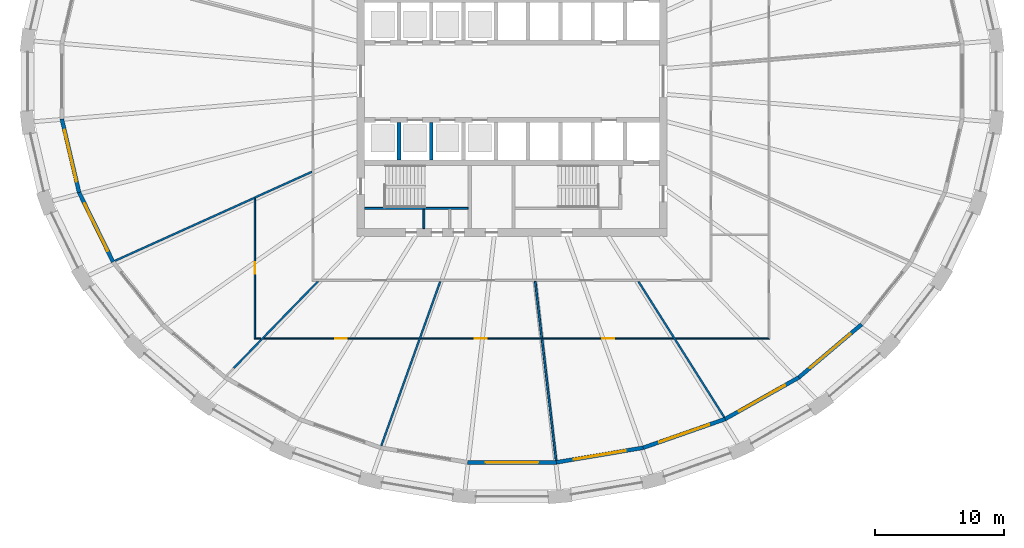
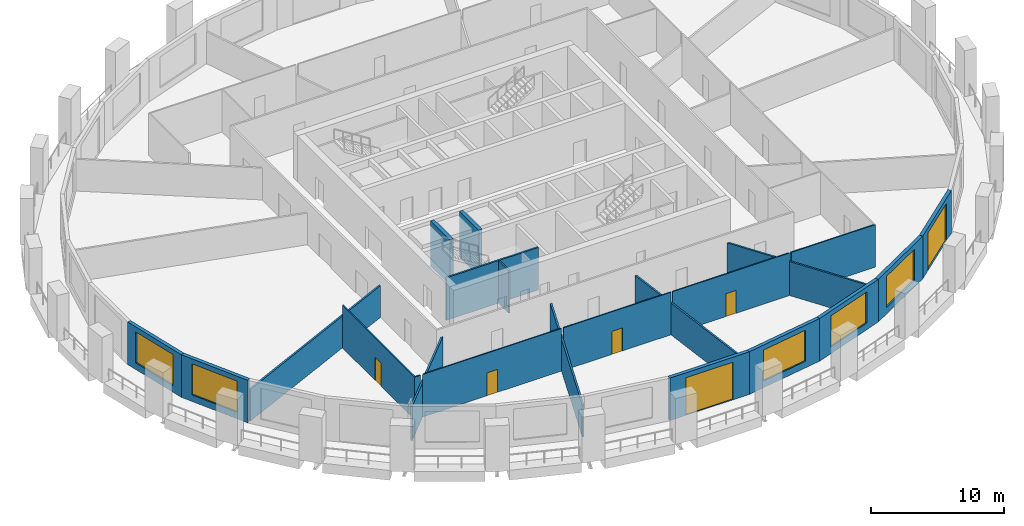
# One storey, part 3 of 11: 24 walls, 6 doors, 5 windows, 11 openings.
"""IFC4 building model written with IfcOpenShell, lengths in metres."""

from ifc_helpers import new_model, si_unit, direction, frame, frame_2d, origin, place, context, subcontext, project, spatial, polyline, rectangle, outline, extrude, material, layer, layer_set, type_object, element, fill, save


model = new_model("IFC4")

# Units and contexts
model_context = context("Model", 3, precision=1e-05, world=origin(), true_north=direction((0.0, 1.0)))
body_context = subcontext(model_context, "Body", "Model", "MODEL_VIEW")
ifc_project = project(units=[si_unit("LENGTHUNIT", "METRE"), si_unit("AREAUNIT", "SQUARE_METRE"), si_unit("VOLUMEUNIT", "CUBIC_METRE"), si_unit("PLANEANGLEUNIT", "RADIAN"), si_unit("MASSUNIT", "GRAM", prefix="KILO")], contexts=[model_context])

# Site, building, storey
site_placement = place(None, origin())
site = spatial("IfcSite", under=ifc_project, at=site_placement, CompositionType="ELEMENT")
building_placement = place(site_placement, origin())
building = spatial("IfcBuilding", under=site, at=building_placement, Name="Halqa Exchange Tower", CompositionType="ELEMENT")
storey_placement = place(building_placement, frame((0.0, 0.0, 36.10009765625)))
storey = spatial("IfcBuildingStorey", under=building, at=storey_placement, Name="L07", CompositionType="ELEMENT", Elevation=36.10009765625)

# Walls
ifc_material_1 = material(Name="Fire-rated gypsum board")
ifc_layer_1 = layer(ifc_material_1, 0.14990234375)
ifc_layer_set_1 = layer_set([ifc_layer_1], Name="Fire-rated gypsum board")
wall_type_1 = type_object("IfcWallType", Name="Fire partition EI 60 150", PredefinedType="PARTITIONING", material=ifc_layer_set_1)
wall_1_placement = place(storey_placement, frame((-30.744384765625, -13.8955078125, 0.0), z_axis=(0.0, 0.0, 1.0), x_axis=(0.91143189519, 0.411450969654, 0.0)))
element("IfcWall", 1, at=wall_1_placement, inside=storey, type_object=wall_type_1, Name="L07-PWL-001", PredefinedType="PARTITIONING", context=body_context, shape_type="SweptSolid", body=[
    extrude(outline(polyline([(0.0205078125, -0.074951171875), (1.9853515625, -0.074951171875), (3.9501953125, -0.074951171875), (5.9150390625, -0.074951171875), (7.8798828125, -0.074951171875), (9.8447265625, -0.074951171875), (11.8095703125, -0.074951171875), (11.810546875, -0.07275390625), (11.815185546875, -0.074951171875), (11.90234375, -0.074951171875), (11.90234375, -0.06591796875), (11.90234375, -0.06591796875), (11.90234375, 0.0615234375), (11.90234375, 0.074951171875), (9.918701171875, 0.074951171875), (7.934814453125, 0.074951171875), (5.951171875, 0.074951171875), (3.967529296875, 0.074951171875), (1.983642578125, 0.074951171875), (0.0, 0.074951171875), (0.0, 0.066162109375), (0.002197265625, -0.00146484375), (0.0205078125, -0.074951171875)])), origin(), (0.0, 0.0, 1.0), 2.909912109375),
])
wall_2_placement = place(storey_placement, frame((-19.89990234375, -8.989990234375, 0.0), z_axis=(0.0, 0.0, 1.0), x_axis=(0.911546381607, 0.411197269178, 0.0)))
element("IfcWall", 2, at=wall_2_placement, inside=storey, type_object=wall_type_1, Name="L07-PWL-005", PredefinedType="PARTITIONING", context=body_context, shape_type="SweptSolid", body=[
    extrude(outline(polyline([(0.020263671875, -0.074951171875), (1.620361328125, -0.074951171875), (3.220458984375, -0.074951171875), (4.820556640625, -0.074951171875), (4.88818359375, 0.074951171875), (3.2587890625, 0.074951171875), (1.62939453125, 0.074951171875), (0.0, 0.074951171875), (0.0, -0.06591796875), (0.020263671875, -0.074951171875)])), origin(), (0.0, 0.0, 1.0), 2.909912109375),
])
wall_3_placement = place(storey_placement, frame((-10.119384765625, -28.209228515625, 0.0), z_axis=(0.0, 0.0, 1.0), x_axis=(0.337949016046, 0.941164418448, 0.0)))
element("IfcWall", 3, at=wall_3_placement, inside=storey, type_object=wall_type_1, Name="L07-PWL-014", PredefinedType="PARTITIONING", context=body_context, shape_type="SweptSolid", body=[
    extrude(outline(polyline([(0.013916015625, -0.074951171875), (1.791748046875, -0.074951171875), (3.569580078125, -0.074951171875), (5.347412109375, -0.074951171875), (7.12548828125, -0.074951171875), (8.9033203125, -0.074951171875), (8.908203125, -0.0732421875), (8.90869140625, -0.074951171875), (10.4580078125, -0.074951171875), (12.007568359375, -0.074951171875), (13.556884765625, -0.074951171875), (13.556884765625, -0.073974609375), (13.554931640625, -0.068603515625), (13.554931640625, -0.068603515625), (13.50341796875, 0.074951171875), (11.919189453125, 0.074951171875), (10.335205078125, 0.074951171875), (8.751220703125, 0.074951171875), (8.7490234375, 0.07421875), (8.74853515625, 0.074951171875), (6.9990234375, 0.074951171875), (5.249267578125, 0.074951171875), (3.49951171875, 0.074951171875), (1.749755859375, 0.074951171875), (0.0, 0.074951171875), (0.0, 0.070556640625), (0.00048828125, -0.00048828125), (0.013916015625, -0.074951171875)])), origin(), (0.0, 0.0, 1.0), 2.909912109375),
])
wall_4_placement = place(storey_placement, frame((1.797607421875, -15.466552734375, 0.0), z_axis=(0.0, 0.0, 1.0), x_axis=(0.114783679138, -0.993390510828, 0.0)))
element("IfcWall", 4, at=wall_4_placement, inside=storey, type_object=wall_type_1, Name="L07-PWL-018", PredefinedType="PARTITIONING", context=body_context, shape_type="SweptSolid", body=[
    extrude(outline(polyline([(0.0, -0.074951171875), (1.468017578125, -0.074951171875), (2.93603515625, -0.074951171875), (4.404052734375, -0.074951171875), (4.404052734375, -0.07470703125), (4.406982421875, -0.074951171875), (4.413330078125, -0.074951171875), (4.413330078125, 0.074951171875), (2.947998046875, 0.074951171875), (1.482666015625, 0.074951171875), (0.01708984375, 0.074951171875), (0.0, -0.073486328125), (0.0, -0.074951171875)])), origin(), (0.0, 0.0, 1.0), 2.909912109375),
])
wall_5_placement = place(storey_placement, frame((2.314208984375, -19.850341796875, 0.0), z_axis=(0.0, 0.0, 1.0), x_axis=(0.115247328534, -0.9933368277, 0.0)))
element("IfcWall", 5, at=wall_5_placement, inside=storey, type_object=wall_type_1, Name="L07-PWL-020", PredefinedType="PARTITIONING", context=body_context, shape_type="SweptSolid", body=[
    extrude(outline(polyline([(0.0888671875, -0.074951171875), (1.979248046875, -0.074951171875), (3.86962890625, -0.074951171875), (5.760009765625, -0.074951171875), (7.650390625, -0.074951171875), (9.540771484375, -0.074951171875), (9.545654296875, -0.033935546875), (9.545654296875, 0.074951171875), (7.658447265625, 0.074951171875), (5.77099609375, 0.074951171875), (3.8837890625, 0.074951171875), (1.996337890625, 0.074951171875), (0.109130859375, 0.074951171875), (0.10888671875, 0.07373046875), (0.098388671875, 0.074951171875), (0.0, 0.074951171875), (0.0, -0.064697265625), (0.0888671875, -0.074951171875)])), origin(), (0.0, 0.0, 1.0), 2.909912109375),
])
wall_6_placement = place(storey_placement, frame((9.752197265625, -15.43505859375, 0.0), z_axis=(0.0, 0.0, 1.0), x_axis=(0.534413972524, -0.845222873549, 0.0)))
element("IfcWall", 6, at=wall_6_placement, inside=storey, type_object=wall_type_1, Name="L07-PWL-023", PredefinedType="PARTITIONING", context=body_context, shape_type="SweptSolid", body=[
    extrude(outline(polyline([(0.0, -0.074951171875), (1.725341796875, -0.074951171875), (3.45068359375, -0.074951171875), (5.176025390625, -0.074951171875), (5.17724609375, -0.07275390625), (5.1806640625, -0.074951171875), (7.00537109375, -0.074951171875), (8.830322265625, -0.074951171875), (10.655029296875, -0.074951171875), (12.479736328125, -0.074951171875), (12.497314453125, 0.001220703125), (12.50048828125, 0.064208984375), (12.50048828125, 0.074951171875), (10.72265625, 0.074951171875), (8.94482421875, 0.074951171875), (7.1669921875, 0.074951171875), (5.38916015625, 0.074951171875), (5.387451171875, 0.072265625), (5.38330078125, 0.074951171875), (3.620361328125, 0.074951171875), (1.857666015625, 0.074951171875), (0.0947265625, 0.074951171875), (0.0, -0.07470703125), (0.0, -0.074951171875)])), origin(), (0.0, 0.0, 1.0), 3.10986328125),
])
wall_7_placement = place(storey_placement, frame((-21.532470703125, -22.18896484375, 0.0), z_axis=(0.0, 0.0, 1.0), x_axis=(0.696649821167, 0.717411337148, 0.0)))
element("IfcWall", 7, at=wall_7_placement, inside=storey, type_object=wall_type_1, Name="L07-PWL-041", PredefinedType="PARTITIONING", context=body_context, shape_type="SweptSolid", body=[
    extrude(outline(polyline([(0.0, -0.074951171875), (1.6640625, -0.074951171875), (3.328369140625, -0.074951171875), (3.330810546875, -0.072509765625), (3.3330078125, -0.074951171875), (4.857421875, -0.074951171875), (6.382080078125, -0.074951171875), (7.906494140625, -0.074951171875), (9.430908203125, -0.074951171875), (9.430908203125, -0.074462890625), (9.338134765625, 0.02099609375), (9.338134765625, 0.02099609375), (9.285888671875, 0.074951171875), (7.727294921875, 0.074951171875), (6.1689453125, 0.074951171875), (4.610595703125, 0.074951171875), (3.052001953125, 0.074951171875), (3.050048828125, 0.072998046875), (3.048095703125, 0.074951171875), (1.524169921875, 0.074951171875), (0.0, 0.074951171875), (0.0, -0.074951171875)])), origin(), (0.0, 0.0, 1.0), 3.14697265625),
])

# Wall, opening, door
ifc_material_2 = material(Name="Gypsum board")
ifc_layer_2 = layer(ifc_material_2, 0.10009765625)
ifc_layer_set_2 = layer_set([ifc_layer_2], Name="Gypsum board")
wall_type_2 = type_object("IfcWallType", Name="Partition 100 gypsum", PredefinedType="PARTITIONING", material=ifc_layer_set_2)
wall_8_placement = place(storey_placement, frame((-19.89990234375, -19.949951171875, 0.0), z_axis=(0.0, 0.0, 1.0), x_axis=(0.0, 1.0, 0.0)))
wall_8 = element("IfcWall", 8, at=wall_8_placement, inside=storey, type_object=wall_type_2, Name="L07-PWL-004", PredefinedType="PARTITIONING", context=body_context, shape_type="SweptSolid", body=[
    extrude(outline(polyline([(10.89990234375, -0.050048828125), (10.89990234375, -0.04931640625), (10.8916015625, -0.03076171875), (10.88330078125, -0.034423828125), (10.84521484375, 0.050048828125), (9.03759765625, 0.050048828125), (7.22998046875, 0.050048828125), (5.422607421875, 0.050048828125), (3.614990234375, 0.050048828125), (1.8076171875, 0.050048828125), (0.0, 0.050048828125), (0.099853515625, -0.0498046875), (0.10009765625, -0.050048828125), (1.900146484375, -0.050048828125), (3.699951171875, -0.050048828125), (5.5, -0.050048828125), (7.300048828125, -0.050048828125), (9.099853515625, -0.050048828125), (10.89990234375, -0.050048828125)])), origin(), (0.0, 0.0, 1.0), 3.89990234375),
])
opening_1_placement = place(wall_8_placement, frame((5.050048828125, 0.0, 0.0)))
opening_1 = element("IfcOpeningElement", 9, at=opening_1_placement, cuts=wall_8, Name="Opening 02-18", PredefinedType="OPENING", context=body_context, shape_type="SweptSolid", body=[
    extrude(rectangle(XDim=0.89990234375, YDim=2.10009765625, at=frame_2d((0.449951171875, 1.050048828125))), frame((0.0, 0.06201171875, 0.0), z_axis=(0.0, -1.0, 0.0), x_axis=(1.0, 0.0, 0.0)), (0.0, 0.0, 1.0), 0.1240234375),
])
ifc_material_3 = material(Name="Timber door leaf", Category="wood")
door_type_1 = type_object("IfcDoorType", Name="Door 900 x 2100", OperationType="SINGLE_SWING_LEFT", PredefinedType="DOOR", material=ifc_material_3)
door_1_placement = place(opening_1_placement, frame((0.89990234375, 0.0, 0.0), z_axis=(0.0, 0.0, 1.0), x_axis=(-1.0, 0.0, 0.0)))
door_1 = element("IfcDoor", 10, at=door_1_placement, inside=storey, type_object=door_type_1, Name="L07-IDR-018", OperationType="SINGLE_SWING_LEFT", OverallHeight=2.10009765625, OverallWidth=0.89990234375, PredefinedType="DOOR", context=body_context, shape_type="SweptSolid", body=[
    extrude(rectangle(XDim=0.89990234375, YDim=2.10009765625, at=frame_2d((0.449951171875, 1.050048828125))), frame((0.0, 0.02490234375, 0.0), z_axis=(0.0, -1.0, 0.0), x_axis=(1.0, 0.0, 0.0)), (0.0, 0.0, 1.0), 0.050048828125),
])
fill(opening_1, door_1)

# Wall
wall_9_placement = place(storey_placement, frame((-19.4599609375, -19.89990234375, 0.0), z_axis=(0.0, 0.0, 1.0), x_axis=(-1.0, 0.0, 0.0)))
element("IfcWall", 11, at=wall_9_placement, inside=storey, type_object=wall_type_2, Name="L07-PWL-008", PredefinedType="PARTITIONING", context=body_context, shape_type="SweptSolid", body=[
    extrude(outline(polyline([(0.0, -0.050048828125), (0.389892578125, -0.050048828125), (0.489990234375, 0.050048828125), (0.0, 0.050048828125), (0.0, -0.050048828125)])), origin(), (0.0, 0.0, 1.0), 3.89990234375),
])

# Wall, opening, door
wall_10_placement = place(storey_placement, frame((-7.197998046875, -19.89990234375, 0.0), z_axis=(0.0, 0.0, 1.0), x_axis=(-1.0, 0.0, 0.0)))
wall_10 = element("IfcWall", 12, at=wall_10_placement, inside=storey, type_object=wall_type_2, Name="L07-PWL-016", PredefinedType="PARTITIONING", context=body_context, shape_type="SweptSolid", body=[
    extrude(outline(polyline([(0.0, -0.050048828125), (1.9931640625, -0.050048828125), (3.986083984375, -0.050048828125), (5.979248046875, -0.050048828125), (7.972412109375, -0.050048828125), (9.96533203125, -0.050048828125), (11.95849609375, -0.050048828125), (12.055419921875, 0.0498046875), (12.055419921875, 0.050048828125), (10.33837890625, 0.050048828125), (8.62109375, 0.050048828125), (6.904052734375, 0.050048828125), (5.186767578125, 0.050048828125), (3.4697265625, 0.050048828125), (1.752685546875, 0.050048828125), (0.035400390625, 0.050048828125), (0.0, -0.048583984375), (0.0, -0.050048828125)])), origin(), (0.0, 0.0, 1.0), 3.89990234375),
])
opening_2_placement = place(wall_10_placement, frame((5.576904296875, 0.0, 0.0)))
opening_2 = element("IfcOpeningElement", 13, at=opening_2_placement, cuts=wall_10, Name="Opening 02-19", PredefinedType="OPENING", context=body_context, shape_type="SweptSolid", body=[
    extrude(rectangle(XDim=0.89990234375, YDim=2.10009765625, at=frame_2d((0.449951171875, 1.050048828125))), frame((0.0, 0.06201171875, 0.0), z_axis=(0.0, -1.0, 0.0), x_axis=(1.0, 0.0, 0.0)), (0.0, 0.0, 1.0), 0.1240234375),
])
door_2_placement = place(opening_2_placement, frame((0.89990234375, 0.0, 0.0), z_axis=(0.0, 0.0, 1.0), x_axis=(-1.0, 0.0, 0.0)))
door_2 = element("IfcDoor", 14, at=door_2_placement, inside=storey, type_object=door_type_1, Name="L07-IDR-019", OperationType="SINGLE_SWING_LEFT", OverallHeight=2.10009765625, OverallWidth=0.89990234375, PredefinedType="DOOR", context=body_context, shape_type="SweptSolid", body=[
    extrude(rectangle(XDim=0.89990234375, YDim=2.10009765625, at=frame_2d((0.449951171875, 1.050048828125))), frame((0.0, 0.02490234375, 0.0), z_axis=(0.0, -1.0, 0.0), x_axis=(1.0, 0.0, 0.0)), (0.0, 0.0, 1.0), 0.050048828125),
])
fill(opening_2, door_2)

wall_11_placement = place(storey_placement, frame((2.25, -19.89990234375, 0.0), z_axis=(0.0, 0.0, 1.0), x_axis=(-1.0, 0.0, 0.0)))
wall_11 = element("IfcWall", 15, at=wall_11_placement, inside=storey, type_object=wall_type_2, Name="L07-PWL-019", PredefinedType="PARTITIONING", context=body_context, shape_type="SweptSolid", body=[
    extrude(outline(polyline([(0.021240234375, -0.050048828125), (1.874755859375, -0.050048828125), (3.72802734375, -0.050048828125), (5.581298828125, -0.050048828125), (7.434814453125, -0.050048828125), (9.2880859375, -0.050048828125), (9.323974609375, 0.050048828125), (9.323974609375, 0.050048828125), (7.459228515625, 0.050048828125), (5.594482421875, 0.050048828125), (3.7294921875, 0.050048828125), (1.86474609375, 0.050048828125), (0.0, 0.050048828125), (0.0, 0.04736328125), (0.01025390625, -0.041015625), (0.0, -0.0419921875), (0.0, -0.042724609375), (0.020263671875, -0.04052734375), (0.021240234375, -0.050048828125)])), origin(), (0.0, 0.0, 1.0), 3.89990234375),
])
opening_3_placement = place(wall_11_placement, frame((4.215087890625, 0.0, 0.0)))
opening_3 = element("IfcOpeningElement", 16, at=opening_3_placement, cuts=wall_11, Name="Opening 02-20", PredefinedType="OPENING", context=body_context, shape_type="SweptSolid", body=[
    extrude(rectangle(XDim=0.89990234375, YDim=2.10009765625, at=frame_2d((0.449951171875, 1.050048828125))), frame((0.0, 0.06201171875, 0.0), z_axis=(0.0, -1.0, 0.0), x_axis=(1.0, 0.0, 0.0)), (0.0, 0.0, 1.0), 0.1240234375),
])
door_3_placement = place(opening_3_placement, frame((0.89990234375, 0.0, 0.0), z_axis=(0.0, 0.0, 1.0), x_axis=(-1.0, 0.0, 0.0)))
door_3 = element("IfcDoor", 17, at=door_3_placement, inside=storey, type_object=door_type_1, Name="L07-IDR-020", OperationType="SINGLE_SWING_RIGHT", OverallHeight=2.10009765625, OverallWidth=0.89990234375, PredefinedType="DOOR", context=body_context, shape_type="SweptSolid", body=[
    extrude(rectangle(XDim=0.89990234375, YDim=2.10009765625, at=frame_2d((0.449951171875, 1.050048828125))), frame((0.0, 0.02490234375, 0.0), z_axis=(0.0, -1.0, 0.0), x_axis=(1.0, 0.0, 0.0)), (0.0, 0.0, 1.0), 0.050048828125),
])
fill(opening_3, door_3)

wall_12_placement = place(storey_placement, frame((12.51806640625, -19.89990234375, 0.0), z_axis=(0.0, 0.0, 1.0), x_axis=(-1.0, 0.0, 0.0)))
wall_12 = element("IfcWall", 18, at=wall_12_placement, inside=storey, type_object=wall_type_2, Name="L07-PWL-024", PredefinedType="PARTITIONING", context=body_context, shape_type="SweptSolid", body=[
    extrude(outline(polyline([(10.128173828125, -0.050048828125), (10.128173828125, -0.0478515625), (10.11669921875, 0.050048828125), (8.4306640625, 0.050048828125), (6.74462890625, 0.050048828125), (5.058349609375, 0.050048828125), (3.372314453125, 0.050048828125), (1.68603515625, 0.050048828125), (0.0, 0.050048828125), (0.0, 0.050048828125), (0.063232421875, -0.050048828125), (1.74072265625, -0.050048828125), (3.418212890625, -0.050048828125), (5.095703125, -0.050048828125), (6.773193359375, -0.050048828125), (8.45068359375, -0.050048828125), (10.128173828125, -0.050048828125)])), origin(), (0.0, 0.0, 1.0), 3.89990234375),
])
opening_4_placement = place(wall_12_placement, frame((4.617919921875, 0.0, 0.0)))
opening_4 = element("IfcOpeningElement", 19, at=opening_4_placement, cuts=wall_12, Name="Opening 02-21", PredefinedType="OPENING", context=body_context, shape_type="SweptSolid", body=[
    extrude(rectangle(XDim=0.89990234375, YDim=2.10009765625, at=frame_2d((0.449951171875, 1.050048828125))), frame((0.0, 0.06201171875, 0.0), z_axis=(0.0, -1.0, 0.0), x_axis=(1.0, 0.0, 0.0)), (0.0, 0.0, 1.0), 0.1240234375),
])
door_4_placement = place(opening_4_placement, frame((0.89990234375, 0.0, 0.0), z_axis=(0.0, 0.0, 1.0), x_axis=(-1.0, 0.0, 0.0)))
door_4 = element("IfcDoor", 20, at=door_4_placement, inside=storey, type_object=door_type_1, Name="L07-IDR-021", OperationType="SINGLE_SWING_RIGHT", OverallHeight=2.10009765625, OverallWidth=0.89990234375, PredefinedType="DOOR", context=body_context, shape_type="SweptSolid", body=[
    extrude(rectangle(XDim=0.89990234375, YDim=2.10009765625, at=frame_2d((0.449951171875, 1.050048828125))), frame((0.0, 0.02490234375, 0.0), z_axis=(0.0, -1.0, 0.0), x_axis=(1.0, 0.0, 0.0)), (0.0, 0.0, 1.0), 0.050048828125),
])
fill(opening_4, door_4)

# Walls
wall_13_placement = place(storey_placement, frame((19.949951171875, -19.89990234375, 0.0), z_axis=(0.0, 0.0, 1.0), x_axis=(-1.0, 0.0, 0.0)))
element("IfcWall", 21, at=wall_13_placement, inside=storey, type_object=wall_type_2, Name="L07-PWL-031", PredefinedType="PARTITIONING", context=body_context, shape_type="SweptSolid", body=[
    extrude(outline(polyline([(7.3173828125, -0.050048828125), (7.3173828125, -0.049560546875), (7.25439453125, 0.050048828125), (5.440673828125, 0.050048828125), (3.627197265625, 0.050048828125), (1.8134765625, 0.050048828125), (0.0, 0.050048828125), (0.099853515625, -0.0498046875), (0.10009765625, -0.050048828125), (1.904296875, -0.050048828125), (3.708740234375, -0.050048828125), (5.51318359375, -0.050048828125), (7.3173828125, -0.050048828125)])), origin(), (0.0, 0.0, 1.0), 3.89990234375),
])
ifc_layer_3 = layer(ifc_material_2, 0.14990234375)
ifc_layer_set_3 = layer_set([ifc_layer_3], Name="Gypsum board")
wall_type_3 = type_object("IfcWallType", Name="Penthouse riser wall 150 gypsum", PredefinedType="PARTITIONING", material=ifc_layer_set_3)
wall_14_placement = place(storey_placement, frame((-6.824951171875, -11.39990234375, 0.0), z_axis=(0.0, 0.0, 1.0), x_axis=(0.0, 1.0, 0.0)))
element("IfcWall", 22, at=wall_14_placement, inside=storey, type_object=wall_type_3, Name="Partition W6.825 S", PredefinedType="PARTITIONING", context=body_context, shape_type="SweptSolid", body=[
    extrude(rectangle(XDim=1.5, YDim=0.14990234375, at=frame_2d((0.75, 0.0))), origin(), (0.0, 0.0, 1.0), 3.89990234375),
])
ifc_material_4 = material(Name="Concrete C60/75", Category="concrete")
ifc_layer_4 = layer(ifc_material_4, 0.300048828125)
ifc_layer_set_4 = layer_set([ifc_layer_4], Name="Concrete C60/75")
wall_type_4 = type_object("IfcWallType", Name="RC core wall 300", PredefinedType="SHEAR", material=ifc_layer_set_4)
for number, where, z_axis, x_axis, name in (
    (23, (-8.75, -6.10009765625, 0.0), (0.0, 0.0, 1.0), (0.0, 1.0, 0.0), "Shaft divider S1"),
    (24, (-6.25, -6.10009765625, 0.0), (0.0, 0.0, 1.0), (0.0, 1.0, 0.0), "Shaft divider S2"),
):
    element("IfcWall", number, at=place(storey_placement, frame(where, z_axis=z_axis, x_axis=x_axis)), inside=storey, type_object=wall_type_4, Name=name, PredefinedType="SHEAR", context=body_context, shape_type="SweptSolid", body=[
        extrude(rectangle(XDim=2.900146484375, YDim=0.300048828125, at=frame_2d((1.4501953125, 0.0))), origin(), (0.0, 0.0, 1.0), 4.199951171875),
    ])
ifc_material_5 = material(Name="Concrete C30/37", Category="concrete")
ifc_layer_5 = layer(ifc_material_5, 0.14990234375)
ifc_layer_set_5 = layer_set([ifc_layer_5], Name="Concrete C30/37")
wall_type_5 = type_object("IfcWallType", Name="RC stair wall 150 C30/37", PredefinedType="SHEAR", material=ifc_layer_set_5)
wall_15_placement = place(storey_placement, frame((-11.39990234375, -9.824951171875, 0.0), z_axis=(0.0, 0.0, 1.0), x_axis=(1.0, 0.0, 0.0)))
element("IfcWall", 25, at=wall_15_placement, inside=storey, type_object=wall_type_5, Name="Stair ST1 north wall S", PredefinedType="SHEAR", context=body_context, shape_type="SweptSolid", body=[
    extrude(rectangle(XDim=8.0, YDim=0.14990234375, at=frame_2d((4.0, 0.0))), origin(), (0.0, 0.0, 1.0), 3.89990234375),
])

# Wall, opening, window
ifc_material_6 = material(Name="Limestone cladding", Category="masonry")
ifc_layer_6 = layer(ifc_material_6, 0.0400390625)
ifc_material_7 = material(Name="Ventilated cavity")
ifc_layer_7 = layer(ifc_material_7, 0.030029296875, ventilated=True)
ifc_material_8 = material(Name="Mineral wool insulation")
ifc_layer_8 = layer(ifc_material_8, 0.10009765625)
ifc_layer_9 = layer(ifc_material_5, 0.10009765625)
ifc_material_9 = material(Name="Internal plaster")
ifc_layer_10 = layer(ifc_material_9, 0.030029296875)
ifc_layer_set_6 = layer_set([ifc_layer_6, ifc_layer_7, ifc_layer_8, ifc_layer_9, ifc_layer_10], Name="Stone-faced insulated wall 300")
wall_type_6 = type_object("IfcWallType", Name="Stone-faced insulated wall 300", PredefinedType="STANDARD", material=ifc_layer_set_6)
wall_16_placement = place(storey_placement, frame((-34.840087890625, -2.90673828125, 0.0), z_axis=(0.0, 0.0, 1.0), x_axis=(0.228976600496, -0.97343192696, 0.0)))
wall_16 = element("IfcWall", 26, at=wall_16_placement, inside=storey, type_object=wall_type_6, Name="Glass-line wall 17", PredefinedType="STANDARD", context=body_context, shape_type="SweptSolid", body=[
    extrude(outline(polyline([(-0.017333984375, -0.14990234375), (5.87353515625, -0.14990234375), (5.83984375, 0.14990234375), (0.017333984375, 0.14990234375), (-0.017333984375, -0.14990234375)])), origin(), (0.0, 0.0, 1.0), 3.89990234375),
])
opening_5_placement = place(wall_16_placement, frame((0.87841796875, 0.0, 0.60009765625)))
opening_5 = element("IfcOpeningElement", 27, at=opening_5_placement, cuts=wall_16, Name="Opening W-F1-17", PredefinedType="OPENING", context=body_context, shape_type="SweptSolid", body=[
    extrude(rectangle(XDim=4.10009765625, YDim=2.85009765625, at=frame_2d((2.050048828125, 1.425048828125))), frame((0.0, 0.162109375, 0.0), z_axis=(0.0, -1.0, 0.0), x_axis=(1.0, 0.0, 0.0)), (0.0, 0.0, 1.0), 0.323974609375),
])
ifc_material_10 = material(Name="Clear low-emissivity glass in aluminium frame", Category="aluminium")
window_type = type_object("IfcWindowType", Name="Fixed clear glazed window 4100 x 2850", PartitioningType="TRIPLE_PANEL_VERTICAL", PredefinedType="WINDOW", material=ifc_material_10)
window_1_placement = place(opening_5_placement, origin())
window_1 = element("IfcWindow", 28, at=window_1_placement, inside=storey, type_object=window_type, Name="Window 1", OverallHeight=2.85009765625, OverallWidth=4.10009765625, PartitioningType="TRIPLE_PANEL_VERTICAL", PredefinedType="WINDOW", context=body_context, shape_type="SweptSolid", body=[
    extrude(rectangle(XDim=4.10009765625, YDim=2.85009765625, at=frame_2d((2.050048828125, 1.425048828125))), frame((0.0, 0.030029296875, 0.0), z_axis=(0.0, -1.0, 0.0), x_axis=(1.0, 0.0, 0.0)), (0.0, 0.0, 1.0), 0.06005859375),
])
fill(opening_5, window_1)

wall_17_placement = place(storey_placement, frame((-33.4990234375, -8.60791015625, 0.0), z_axis=(0.0, 0.0, 1.0), x_axis=(0.439896354052, -0.898048549741, 0.0)))
wall_17 = element("IfcWall", 29, at=wall_17_placement, inside=storey, type_object=wall_type_6, Name="Glass-line wall 18", PredefinedType="STANDARD", context=body_context, shape_type="SweptSolid", body=[
    extrude(outline(polyline([(-0.016845703125, -0.14990234375), (5.993896484375, -0.14990234375), (5.961669921875, 0.14990234375), (0.016845703125, 0.14990234375), (-0.016845703125, -0.14990234375)])), origin(), (0.0, 0.0, 1.0), 3.89990234375),
])
opening_6_placement = place(wall_17_placement, frame((0.93896484375, 0.0, 0.60009765625)))
opening_6 = element("IfcOpeningElement", 30, at=opening_6_placement, cuts=wall_17, Name="Opening W-F1-18", PredefinedType="OPENING", context=body_context, shape_type="SweptSolid", body=[
    extrude(rectangle(XDim=4.10009765625, YDim=2.85009765625, at=frame_2d((2.050048828125, 1.425048828125))), frame((0.0, 0.162109375, 0.0), z_axis=(0.0, -1.0, 0.0), x_axis=(1.0, 0.0, 0.0)), (0.0, 0.0, 1.0), 0.323974609375),
])
window_2_placement = place(opening_6_placement, origin())
window_2 = element("IfcWindow", 31, at=window_2_placement, inside=storey, type_object=window_type, Name="Window 1", OverallHeight=2.85009765625, OverallWidth=4.10009765625, PartitioningType="TRIPLE_PANEL_VERTICAL", PredefinedType="WINDOW", context=body_context, shape_type="SweptSolid", body=[
    extrude(rectangle(XDim=4.10009765625, YDim=2.85009765625, at=frame_2d((2.050048828125, 1.425048828125))), frame((0.0, 0.030029296875, 0.0), z_axis=(0.0, -1.0, 0.0), x_axis=(1.0, 0.0, 0.0)), (0.0, 0.0, 1.0), 0.06005859375),
])
fill(opening_6, window_2)

# Wall, opening, door
wall_18_placement = place(storey_placement, frame((-3.42919921875, -29.486328125, 0.0), z_axis=(0.0, 0.0, 1.0), x_axis=(1.0, 0.0, 0.0)))
wall_18 = element("IfcWall", 32, at=wall_18_placement, inside=storey, type_object=wall_type_6, Name="Glass-line wall 24", PredefinedType="STANDARD", context=body_context, shape_type="SweptSolid", body=[
    extrude(outline(polyline([(-0.012451171875, -0.14990234375), (6.870849609375, -0.14990234375), (6.845947265625, 0.14990234375), (0.012451171875, 0.14990234375), (-0.012451171875, -0.14990234375)])), origin(), (0.0, 0.0, 1.0), 3.89990234375),
])
opening_7_placement = place(wall_18_placement, frame((1.379150390625, 0.0, 0.0)))
opening_7 = element("IfcOpeningElement", 33, at=opening_7_placement, cuts=wall_18, Name="Opening LG-F1-06", PredefinedType="OPENING", context=body_context, shape_type="SweptSolid", body=[
    extrude(rectangle(XDim=4.10009765625, YDim=3.449951171875, at=frame_2d((2.050048828125, 1.72509765625))), frame((0.0, 0.162109375, 0.0), z_axis=(0.0, -1.0, 0.0), x_axis=(1.0, 0.0, 0.0)), (0.0, 0.0, 1.0), 0.323974609375),
])
door_type_2 = type_object("IfcDoorType", Name="Glazed sliding loggia door 4100 x 3450", OperationType="DOUBLE_DOOR_SLIDING", PredefinedType="DOOR", material=ifc_material_10)
door_5_placement = place(opening_7_placement, origin())
door_5 = element("IfcDoor", 34, at=door_5_placement, inside=storey, type_object=door_type_2, Name="Loggia door 6", OperationType="DOUBLE_DOOR_SLIDING", OverallHeight=3.449951171875, OverallWidth=4.10009765625, PredefinedType="DOOR", context=body_context, shape_type="SweptSolid", body=[
    extrude(rectangle(XDim=4.10009765625, YDim=3.449951171875, at=frame_2d((2.050048828125, 1.72509765625))), frame((0.0, 0.02490234375, 0.0), z_axis=(0.0, -1.0, 0.0), x_axis=(1.0, 0.0, 0.0)), (0.0, 0.0, 1.0), 0.050048828125),
])
fill(opening_7, door_5)

# Wall, opening, window
wall_19_placement = place(storey_placement, frame((3.42919921875, -29.486328125, 0.0), z_axis=(0.0, 0.0, 1.0), x_axis=(0.986145179906, 0.165884550659, 0.0)))
wall_19 = element("IfcWall", 35, at=wall_19_placement, inside=storey, type_object=wall_type_6, Name="Glass-line wall 25", PredefinedType="STANDARD", context=body_context, shape_type="SweptSolid", body=[
    extrude(outline(polyline([(-0.012451171875, -0.14990234375), (6.834228515625, -0.14990234375), (6.808837890625, 0.14990234375), (0.012451171875, 0.14990234375), (-0.012451171875, -0.14990234375)])), origin(), (0.0, 0.0, 1.0), 3.89990234375),
])
opening_8_placement = place(wall_19_placement, frame((1.36083984375, 0.0, 0.60009765625)))
opening_8 = element("IfcOpeningElement", 36, at=opening_8_placement, cuts=wall_19, Name="Opening W-F1-25", PredefinedType="OPENING", context=body_context, shape_type="SweptSolid", body=[
    extrude(rectangle(XDim=4.10009765625, YDim=2.85009765625, at=frame_2d((2.050048828125, 1.425048828125))), frame((0.0, 0.162109375, 0.0), z_axis=(0.0, -1.0, 0.0), x_axis=(1.0, 0.0, 0.0)), (0.0, 0.0, 1.0), 0.323974609375),
])
window_3_placement = place(opening_8_placement, origin())
window_3 = element("IfcWindow", 37, at=window_3_placement, inside=storey, type_object=window_type, Name="Window 1", OverallHeight=2.85009765625, OverallWidth=4.10009765625, PartitioningType="TRIPLE_PANEL_VERTICAL", PredefinedType="WINDOW", context=body_context, shape_type="SweptSolid", body=[
    extrude(rectangle(XDim=4.10009765625, YDim=2.85009765625, at=frame_2d((2.050048828125, 1.425048828125))), frame((0.0, 0.030029296875, 0.0), z_axis=(0.0, -1.0, 0.0), x_axis=(1.0, 0.0, 0.0)), (0.0, 0.0, 1.0), 0.06005859375),
])
fill(opening_8, window_3)

wall_20_placement = place(storey_placement, frame((10.15625, -28.354736328125, 0.0), z_axis=(0.0, 0.0, 1.0), x_axis=(0.943778979427, 0.330577128657, 0.0)))
wall_20 = element("IfcWall", 38, at=wall_20_placement, inside=storey, type_object=wall_type_6, Name="Glass-line wall 26", PredefinedType="STANDARD", context=body_context, shape_type="SweptSolid", body=[
    extrude(outline(polyline([(-0.0126953125, -0.14990234375), (6.728759765625, -0.14990234375), (6.701904296875, 0.14990234375), (0.0126953125, 0.14990234375), (-0.0126953125, -0.14990234375)])), origin(), (0.0, 0.0, 1.0), 3.89990234375),
])
opening_9_placement = place(wall_20_placement, frame((1.3076171875, 0.0, 0.60009765625)))
opening_9 = element("IfcOpeningElement", 39, at=opening_9_placement, cuts=wall_20, Name="Opening W-F1-26", PredefinedType="OPENING", context=body_context, shape_type="SweptSolid", body=[
    extrude(rectangle(XDim=4.10009765625, YDim=2.85009765625, at=frame_2d((2.050048828125, 1.425048828125))), frame((0.0, 0.162109375, 0.0), z_axis=(0.0, -1.0, 0.0), x_axis=(1.0, 0.0, 0.0)), (0.0, 0.0, 1.0), 0.323974609375),
])
window_4_placement = place(opening_9_placement, origin())
window_4 = element("IfcWindow", 40, at=window_4_placement, inside=storey, type_object=window_type, Name="Window 1", OverallHeight=2.85009765625, OverallWidth=4.10009765625, PartitioningType="TRIPLE_PANEL_VERTICAL", PredefinedType="WINDOW", context=body_context, shape_type="SweptSolid", body=[
    extrude(rectangle(XDim=4.10009765625, YDim=2.85009765625, at=frame_2d((2.050048828125, 1.425048828125))), frame((0.0, 0.030029296875, 0.0), z_axis=(0.0, -1.0, 0.0), x_axis=(1.0, 0.0, 0.0)), (0.0, 0.0, 1.0), 0.06005859375),
])
fill(opening_9, window_4)

wall_21_placement = place(storey_placement, frame((16.494140625, -26.134765625, 0.0), z_axis=(0.0, 0.0, 1.0), x_axis=(0.87061279013, 0.491968870623, 0.0)))
wall_21 = element("IfcWall", 41, at=wall_21_placement, inside=storey, type_object=wall_type_6, Name="Glass-line wall 27", PredefinedType="STANDARD", context=body_context, shape_type="SweptSolid", body=[
    extrude(outline(polyline([(-0.013427734375, -0.14990234375), (6.567626953125, -0.14990234375), (6.539306640625, 0.14990234375), (0.013427734375, 0.14990234375), (-0.013427734375, -0.14990234375)])), origin(), (0.0, 0.0, 1.0), 3.89990234375),
])
opening_10_placement = place(wall_21_placement, frame((1.226806640625, 0.0, 0.60009765625)))
opening_10 = element("IfcOpeningElement", 42, at=opening_10_placement, cuts=wall_21, Name="Opening W-F1-27", PredefinedType="OPENING", context=body_context, shape_type="SweptSolid", body=[
    extrude(rectangle(XDim=4.10009765625, YDim=2.85009765625, at=frame_2d((2.050048828125, 1.425048828125))), frame((0.0, 0.162109375, 0.0), z_axis=(0.0, -1.0, 0.0), x_axis=(1.0, 0.0, 0.0)), (0.0, 0.0, 1.0), 0.323974609375),
])
window_5_placement = place(opening_10_placement, origin())
window_5 = element("IfcWindow", 43, at=window_5_placement, inside=storey, type_object=window_type, Name="Window 1", OverallHeight=2.85009765625, OverallWidth=4.10009765625, PartitioningType="TRIPLE_PANEL_VERTICAL", PredefinedType="WINDOW", context=body_context, shape_type="SweptSolid", body=[
    extrude(rectangle(XDim=4.10009765625, YDim=2.85009765625, at=frame_2d((2.050048828125, 1.425048828125))), frame((0.0, 0.030029296875, 0.0), z_axis=(0.0, -1.0, 0.0), x_axis=(1.0, 0.0, 0.0)), (0.0, 0.0, 1.0), 0.06005859375),
])
fill(opening_10, window_5)

# Wall, opening, door
wall_22_placement = place(storey_placement, frame((22.19970703125, -22.91064453125, 0.0), z_axis=(0.0, 0.0, 1.0), x_axis=(0.763577077796, 0.645716691951, 0.0)))
wall_22 = element("IfcWall", 44, at=wall_22_placement, inside=storey, type_object=wall_type_6, Name="Glass-line wall 28", PredefinedType="STANDARD", context=body_context, shape_type="SweptSolid", body=[
    extrude(outline(polyline([(-0.01416015625, -0.14990234375), (6.372314453125, -0.14990234375), (6.342041015625, 0.14990234375), (0.01416015625, 0.14990234375), (-0.01416015625, -0.14990234375)])), origin(), (0.0, 0.0, 1.0), 3.89990234375),
])
opening_11_placement = place(wall_22_placement, frame((1.128662109375, 0.0, 0.0)))
opening_11 = element("IfcOpeningElement", 45, at=opening_11_placement, cuts=wall_22, Name="Opening LG-F1-07", PredefinedType="OPENING", context=body_context, shape_type="SweptSolid", body=[
    extrude(rectangle(XDim=4.10009765625, YDim=3.449951171875, at=frame_2d((2.050048828125, 1.72509765625))), frame((0.0, 0.162109375, 0.0), z_axis=(0.0, -1.0, 0.0), x_axis=(1.0, 0.0, 0.0)), (0.0, 0.0, 1.0), 0.323974609375),
])
door_6_placement = place(opening_11_placement, origin())
door_6 = element("IfcDoor", 46, at=door_6_placement, inside=storey, type_object=door_type_2, Name="Loggia door 7", OperationType="DOUBLE_DOOR_SLIDING", OverallHeight=3.449951171875, OverallWidth=4.10009765625, PredefinedType="DOOR", context=body_context, shape_type="SweptSolid", body=[
    extrude(rectangle(XDim=4.10009765625, YDim=3.449951171875, at=frame_2d((2.050048828125, 1.72509765625))), frame((0.0, 0.02490234375, 0.0), z_axis=(0.0, -1.0, 0.0), x_axis=(1.0, 0.0, 0.0)), (0.0, 0.0, 1.0), 0.050048828125),
])
fill(opening_11, door_6)

save(model, "model.ifc")
